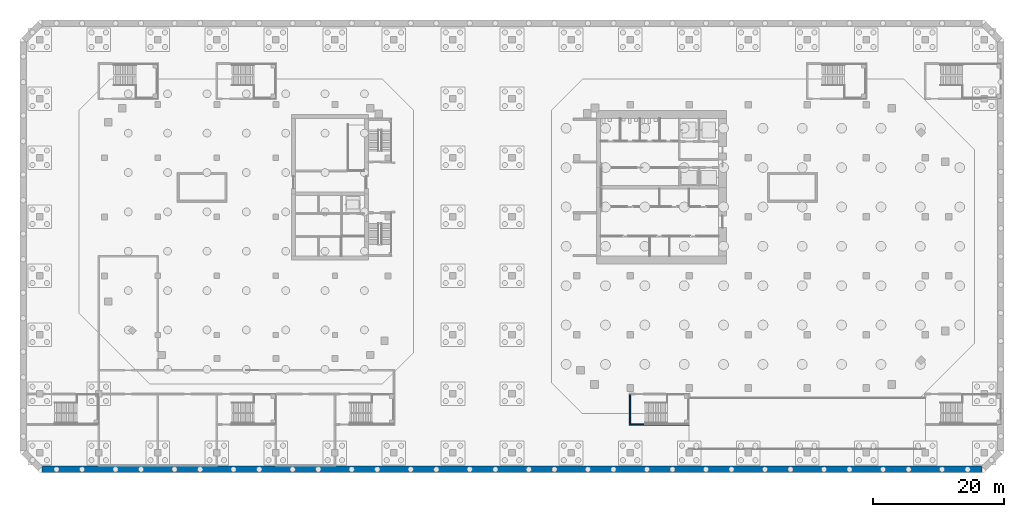
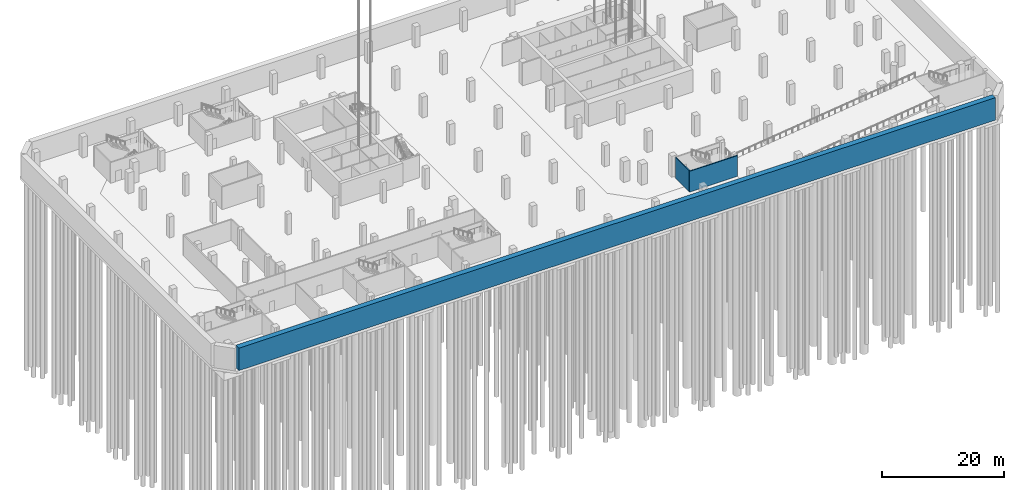
# One storey, part 19 of 30: 3 walls.
"""IFC4 building model written with IfcOpenShell, lengths in metres."""

from ifc_helpers import new_model, si_unit, direction, frame, frame_2d, origin, place, context, subcontext, project, spatial, rectangle, extrude, material, layer, layer_set, type_object, element, save


model = new_model("IFC4")

# Units and contexts
model_context = context("Model", 3, precision=1e-05, world=origin(), true_north=direction((0.0, 1.0)))
body_context = subcontext(model_context, "Body", "Model", "MODEL_VIEW")
ifc_project = project(units=[si_unit("LENGTHUNIT", "METRE"), si_unit("AREAUNIT", "SQUARE_METRE"), si_unit("VOLUMEUNIT", "CUBIC_METRE"), si_unit("PLANEANGLEUNIT", "RADIAN"), si_unit("MASSUNIT", "GRAM", prefix="KILO")], contexts=[model_context])

# Site, building, storey
site_placement = place(None, origin())
site = spatial("IfcSite", under=ifc_project, at=site_placement, CompositionType="ELEMENT")
building_placement = place(site_placement, origin())
building = spatial("IfcBuilding", under=site, at=building_placement, Name="Cinnabar Reach Civic Tower", CompositionType="ELEMENT")
storey_placement = place(building_placement, frame((0.0, 0.0, -14.0)))
storey = spatial("IfcBuildingStorey", under=building, at=storey_placement, Name="B3", CompositionType="ELEMENT", Elevation=-14.0)

# Walls
ifc_material_1 = material(Name="Concrete C70", Category="concrete")
ifc_layer_1 = layer(ifc_material_1, 1.0)
ifc_layer_set_1 = layer_set([ifc_layer_1], Name="Basement wall 1000 EI 180")
wall_type_1 = type_object("IfcWallType", Name="Basement wall 1000 EI 180", PredefinedType="SOLIDWALL", material=ifc_layer_set_1)
wall_1_placement = place(storey_placement, frame((62.6408, -11.5, 0.0), z_axis=(0.0, 0.0, 1.0), x_axis=(-1.0, 0.0, 0.0)))
element("IfcWall", 1, at=wall_1_placement, inside=storey, type_object=wall_type_1, Name="Basement wall B3 8", PredefinedType="SOLIDWALL", context=body_context, shape_type="SweptSolid", body=[
    extrude(rectangle(XDim=143.2816, YDim=1.0, at=frame_2d((71.6408, 0.0))), origin(), (0.0, 0.0, 1.0), 4.5),
])
ifc_material_2 = material(Name="Concrete C40", Category="concrete")
ifc_layer_2 = layer(ifc_material_2, 0.2)
ifc_layer_set_2 = layer_set([ifc_layer_2], Name="Podium stair shaft wall 200 EI 120")
wall_type_2 = type_object("IfcWallType", Name="Podium stair shaft wall 200 EI 120", PredefinedType="SOLIDWALL", material=ifc_layer_set_2)
wall_2_placement = place(storey_placement, frame((9.0, -4.55, 0.0), z_axis=(0.0, 0.0, 1.0), x_axis=(0.0, 1.0, 0.0)))
element("IfcWall", 2, at=wall_2_placement, inside=storey, type_object=wall_type_2, Name="Wall B3 9", PredefinedType="SOLIDWALL", context=body_context, shape_type="SweptSolid", body=[
    extrude(rectangle(XDim=4.45, YDim=0.2, at=frame_2d((2.225, 0.0))), origin(), (0.0, 0.0, 1.0), 4.15),
])
wall_3_placement = place(storey_placement, frame((8.9, -4.65, 0.0), z_axis=(0.0, 0.0, 1.0), x_axis=(1.0, 0.0, 0.0)))
element("IfcWall", 3, at=wall_3_placement, inside=storey, type_object=wall_type_2, Name="Wall B3 12", PredefinedType="SOLIDWALL", context=body_context, shape_type="SweptSolid", body=[
    extrude(rectangle(XDim=9.1, YDim=0.2, at=frame_2d((4.55, 0.0))), origin(), (0.0, 0.0, 1.0), 4.15),
])

save(model, "model.ifc")
